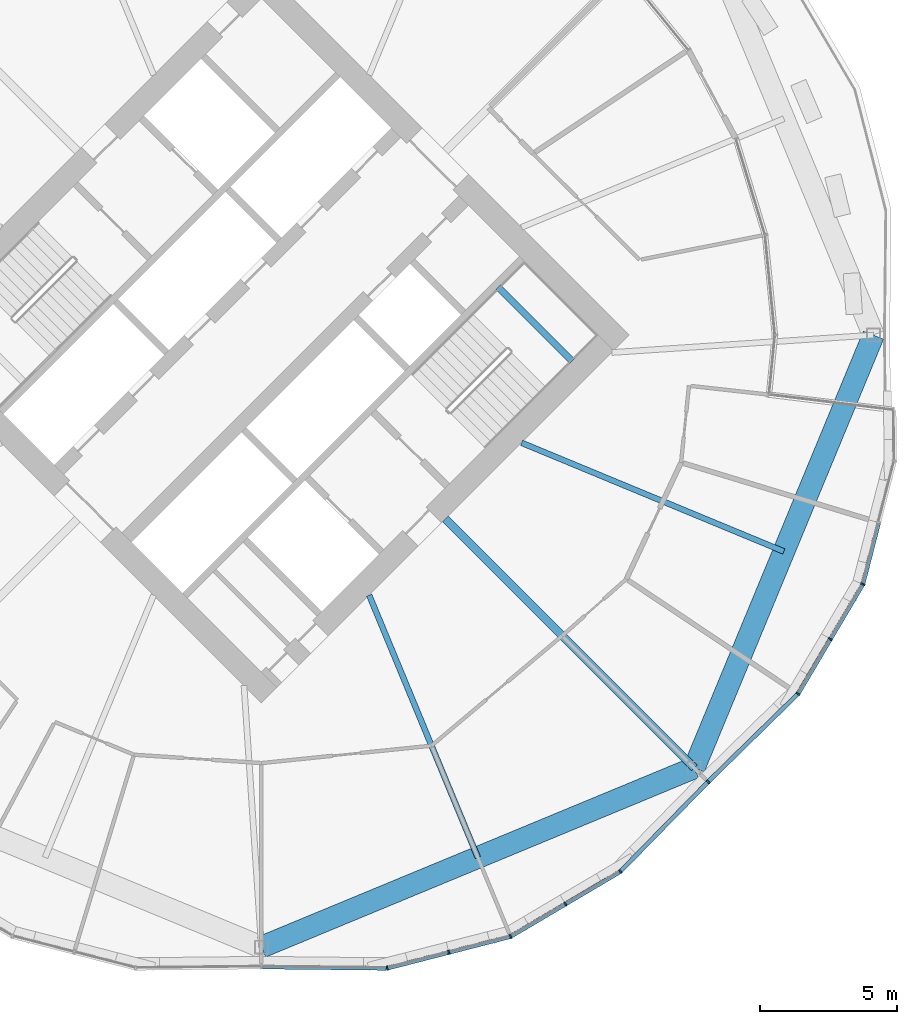
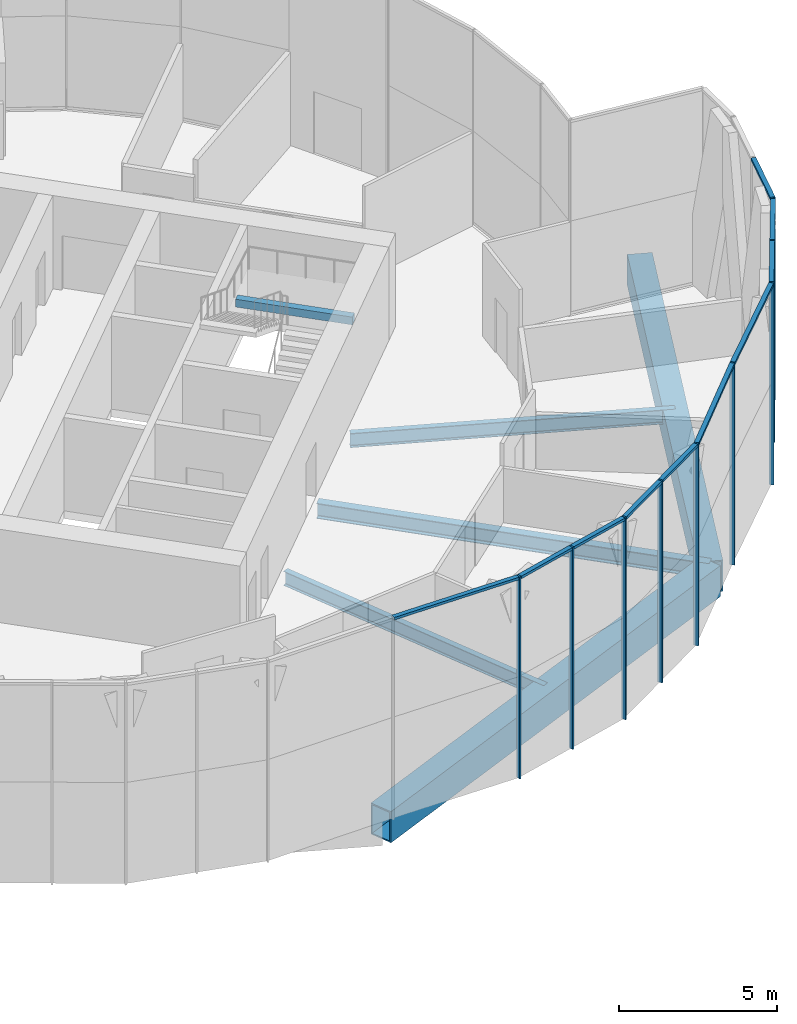
# One storey, part 12 of 27: 19 members, 6 beams, 2 elements without a shape of their own.
"""IFC4 building model written with IfcOpenShell, lengths in metres."""

from ifc_helpers import new_model, si_unit, direction, frame, origin, origin_2d, place, context, subcontext, project, spatial, rectangle, hollow_rectangle, i_section, extrude, material, material_profile, profile_set, type_object, element, aggregate, save


model = new_model("IFC4")

# Units and contexts
model_context = context("Model", 3, precision=1e-05, world=origin(), true_north=direction((0.0, 1.0)))
body_context = subcontext(model_context, "Body", "Model", "MODEL_VIEW")
ifc_project = project(units=[si_unit("LENGTHUNIT", "METRE"), si_unit("AREAUNIT", "SQUARE_METRE"), si_unit("VOLUMEUNIT", "CUBIC_METRE"), si_unit("PLANEANGLEUNIT", "RADIAN"), si_unit("MASSUNIT", "GRAM", prefix="KILO")], contexts=[model_context])

# Site, building, storey
site_placement = place(None, origin())
site = spatial("IfcSite", under=ifc_project, at=site_placement, CompositionType="ELEMENT")
building_placement = place(site_placement, origin())
building = spatial("IfcBuilding", under=site, at=building_placement, Name="Ogive Gate Towers", CompositionType="ELEMENT")
storey_placement = place(building_placement, frame((0.0, 0.0, 123.0)))
storey = spatial("IfcBuildingStorey", under=building, at=storey_placement, Name="L29", CompositionType="ELEMENT", Elevation=123.0)

# Beams
ifc_material_1 = material(Name="Steel SM460", Category="steel")
ifc_material_profile_1 = material_profile(ifc_material_1, hollow_rectangle(XDim=0.800048828125, YDim=1.199951171875, WallThickness=0.050048828125, at=origin_2d()), Name="BX 1200x800x50")
ifc_profile_set_1 = profile_set([ifc_material_profile_1], Name="Steel SM460")
beam_type_1 = type_object("IfcBeamType", Name="Edge girder BX 1200x800x50", PredefinedType="BEAM", material=ifc_profile_set_1)
for number, where, z_axis, x_axis, name in (
    (1, (36.0, -22.35009765625, -0.89990234375), (0.923880978344, 0.382679941797, 0.0), (-0.382679941797, 0.923880978344, 0.0), "T2/L29/SBM018"),
    (2, (51.803955078125, -15.803955078125, -0.89990234375), (0.382679941797, 0.923880978344, 0.0), (-0.923880978344, 0.382679941797, 0.0), "T2/L29/SBM019"),
):
    element("IfcBeam", number, at=place(storey_placement, frame(where, z_axis=z_axis, x_axis=x_axis)), inside=storey, type_object=beam_type_1, Name=name, PredefinedType="BEAM", context=body_context, shape_type="SweptSolid", body=[
        extrude(hollow_rectangle(XDim=0.800048828125, YDim=1.199951171875, WallThickness=0.050048828125, at=origin_2d()), origin(), (0.0, 0.0, 1.0), 17.10595703125),
    ])
ifc_material_2 = material(Name="Concrete C40/50", Category="concrete")
ifc_material_profile_2 = material_profile(ifc_material_2, rectangle(XDim=0.25, YDim=0.300048828125, at=origin_2d()), Name="RC 250x300")
ifc_profile_set_2 = profile_set([ifc_material_profile_2], Name="Concrete C40/50")
beam_type_2 = type_object("IfcBeamType", Name="Landing bearer RC 250x300", PredefinedType="BEAM", material=ifc_profile_set_2)
beam_1_placement = place(storey_placement, frame((47.349609375, -0.9541015625, 1.60009765625), z_axis=(-0.707106781187, 0.707106781187, 0.0), x_axis=(-0.707106781187, -0.707106781187, 0.0)))
element("IfcBeam", 3, at=beam_1_placement, inside=storey, type_object=beam_type_2, Name="T2 L29 stair 2 landing bearer 1", PredefinedType="BEAM", context=body_context, shape_type="SweptSolid", body=[
    extrude(rectangle(XDim=0.25, YDim=0.300048828125, at=origin_2d()), origin(), (0.0, 0.0, 1.0), 3.824951171875),
])
ifc_material_3 = material(Name="Steel SM355", Category="steel")
ifc_material_profile_3 = material_profile(ifc_material_3, i_section(OverallWidth=0.300048828125, OverallDepth=0.590087890625, WebThickness=0.012939453125, FlangeThickness=0.02490234375, FilletRadius=0.027099609375, at=origin_2d()), Name="HE 600 A")
ifc_profile_set_3 = profile_set([ifc_material_profile_3], Name="Steel SM355")
beam_type_3 = type_object("IfcBeamType", Name="Radial floor beam HE 600 A", PredefinedType="BEAM", material=ifc_profile_set_3)
beam_2_placement = place(storey_placement, frame((42.717529296875, -6.717529296875, -0.594970703125), z_axis=(0.707106781187, -0.707106781187, 0.0), x_axis=(0.707106781187, 0.707106781187, 0.0)))
element("IfcBeam", 4, at=beam_2_placement, inside=storey, type_object=beam_type_3, Name="T2/L29/SBM005", PredefinedType="BEAM", context=body_context, shape_type="SweptSolid", body=[
    extrude(i_section(OverallWidth=0.300048828125, OverallDepth=0.590087890625, WebThickness=0.012939453125, FlangeThickness=0.02490234375, FilletRadius=0.027099609375, at=origin_2d()), origin(), (0.0, 0.0, 1.0), 12.85009765625),
])
ifc_material_profile_4 = material_profile(ifc_material_3, i_section(OverallWidth=0.2099609375, OverallDepth=0.550048828125, WebThickness=0.010986328125, FlangeThickness=0.01708984375, FilletRadius=0.02392578125, at=origin_2d()), Name="IPE 550")
ifc_profile_set_4 = profile_set([ifc_material_profile_4], Name="Steel SM355")
beam_type_4 = type_object("IfcBeamType", Name="Radial floor beam IPE 550", PredefinedType="BEAM", material=ifc_profile_set_4)
for number, where, z_axis, x_axis, name in (
    (5, (39.93505859375, -9.5, -0.574951171875), (0.382676287498, -0.92388249198, 0.0), (0.92388249198, 0.382676287498, 0.0), "T2/L29/SBM004"),
    (6, (45.5, -3.93505859375, -0.574951171875), (0.92388249198, -0.382676287498, 0.0), (0.382676287498, 0.92388249198, 0.0), "T2/L29/SBM006"),
):
    element("IfcBeam", number, at=place(storey_placement, frame(where, z_axis=z_axis, x_axis=x_axis)), inside=storey, type_object=beam_type_4, Name=name, PredefinedType="BEAM", context=body_context, shape_type="SweptSolid", body=[
        extrude(i_section(OverallWidth=0.2099609375, OverallDepth=0.550048828125, WebThickness=0.010986328125, FlangeThickness=0.01708984375, FilletRadius=0.02392578125, at=origin_2d()), origin(), (0.0, 0.0, 1.0), 10.365966796875),
    ])

# Curtain wall, members
ifc_material_4 = material(Name="Pale metal aluminium", Category="aluminium")
curtain_wall_type = type_object("IfcCurtainWallType", Name="Tower unitised wall, low zone", PredefinedType="NOTDEFINED", material=ifc_material_4)
curtain_wall_1_placement = place(storey_placement, origin())
curtain_wall_1 = element("IfcCurtainWall", 7, at=curtain_wall_1_placement, inside=storey, type_object=curtain_wall_type, Name="CW1 T2 ECW09", PredefinedType="NOTDEFINED")
ifc_material_profile_5 = material_profile(ifc_material_4, rectangle(XDim=0.159912109375, YDim=0.06005859375, at=origin_2d()), Name="60 x 160 aluminium box")
ifc_profile_set_5 = profile_set([ifc_material_profile_5], Name="Pale metal aluminium")
member_type_1 = type_object("IfcMemberType", Name="Tower unitised wall, low zone mullion 60 x 160", PredefinedType="MULLION", material=ifc_profile_set_5)
member_1_placement = place(storey_placement, frame((52.31298828125, -16.312744140625, -0.300048828125), z_axis=(0.0, 0.0, 1.0), x_axis=(-0.714704657494, 0.699426373935, 0.0)))
member_1 = element("IfcMember", 8, at=member_1_placement, type_object=member_type_1, Name="CW1 mullion", PredefinedType="MULLION", context=body_context, shape_type="SweptSolid", body=[
    extrude(rectangle(XDim=0.159912109375, YDim=0.06005859375, at=origin_2d()), origin(), (0.0, 0.0, 1.0), 7.800048828125),
])
member_2_placement = place(storey_placement, frame((49.102783203125, -19.593017578125, -0.300048828125), z_axis=(0.0, 0.0, 1.0), x_axis=(-0.6171182794, 0.786870401801, 0.0)))
member_2 = element("IfcMember", 9, at=member_2_placement, type_object=member_type_1, Name="CW1 mullion", PredefinedType="MULLION", context=body_context, shape_type="SweptSolid", body=[
    extrude(rectangle(XDim=0.159912109375, YDim=0.06005859375, at=origin_2d()), origin(), (0.0, 0.0, 1.0), 7.800048828125),
])
member_3_placement = place(storey_placement, frame((47.099853515625, -20.77734375, -0.300048828125), z_axis=(0.0, 0.0, 1.0), x_axis=(-0.508951276265, 0.860795328977, 0.0)))
member_3 = element("IfcMember", 10, at=member_3_placement, type_object=member_type_1, Name="CW1 mullion", PredefinedType="MULLION", context=body_context, shape_type="SweptSolid", body=[
    extrude(rectangle(XDim=0.159912109375, YDim=0.06005859375, at=origin_2d()), origin(), (0.0, 0.0, 1.0), 7.800048828125),
])
member_4_placement = place(storey_placement, frame((45.0966796875, -21.961669921875, -0.300048828125), z_axis=(0.0, 0.0, 1.0), x_axis=(-0.382683432365, 0.923879532511, 0.0)))
member_4 = element("IfcMember", 11, at=member_4_placement, type_object=member_type_1, Name="CW1 mullion", PredefinedType="MULLION", context=body_context, shape_type="SweptSolid", body=[
    extrude(rectangle(XDim=0.159912109375, YDim=0.06005859375, at=origin_2d()), origin(), (0.0, 0.0, 1.0), 7.800048828125),
])
member_5_placement = place(storey_placement, frame((42.843017578125, -22.540771484375, -0.300048828125), z_axis=(0.0, 0.0, 1.0), x_axis=(-0.248808220065, 0.968552770699, 0.0)))
member_5 = element("IfcMember", 12, at=member_5_placement, type_object=member_type_1, Name="CW1 mullion", PredefinedType="MULLION", context=body_context, shape_type="SweptSolid", body=[
    extrude(rectangle(XDim=0.159912109375, YDim=0.06005859375, at=origin_2d()), origin(), (0.0, 0.0, 1.0), 7.800048828125),
])
member_6_placement = place(storey_placement, frame((40.58935546875, -23.119384765625, -0.300048828125), z_axis=(0.0, 0.0, 1.0), x_axis=(-0.12003287687, 0.992769917186, 0.0)))
member_6 = element("IfcMember", 13, at=member_6_placement, type_object=member_type_1, Name="CW1 mullion", PredefinedType="MULLION", context=body_context, shape_type="SweptSolid", body=[
    extrude(rectangle(XDim=0.159912109375, YDim=0.06005859375, at=origin_2d()), origin(), (0.0, 0.0, 1.0), 7.800048828125),
])

curtain_wall_2_placement = place(storey_placement, origin())
curtain_wall_2 = element("IfcCurtainWall", 14, at=curtain_wall_2_placement, inside=storey, type_object=curtain_wall_type, Name="CW1 T2 ECW10", PredefinedType="NOTDEFINED")
member_7_placement = place(storey_placement, frame((57.961669921875, -9.0966796875, -0.300048828125), z_axis=(0.0, 0.0, 1.0), x_axis=(-0.923879532511, 0.382683432365, 0.0)))
member_7 = element("IfcMember", 15, at=member_7_placement, type_object=member_type_1, Name="CW1 mullion", PredefinedType="MULLION", context=body_context, shape_type="SweptSolid", body=[
    extrude(rectangle(XDim=0.159912109375, YDim=0.06005859375, at=origin_2d()), origin(), (0.0, 0.0, 1.0), 7.800048828125),
])
member_8_placement = place(storey_placement, frame((56.77734375, -11.099853515625, -0.300048828125), z_axis=(0.0, 0.0, 1.0), x_axis=(-0.860795328977, 0.508951276265, 0.0)))
member_8 = element("IfcMember", 16, at=member_8_placement, type_object=member_type_1, Name="CW1 mullion", PredefinedType="MULLION", context=body_context, shape_type="SweptSolid", body=[
    extrude(rectangle(XDim=0.159912109375, YDim=0.06005859375, at=origin_2d()), origin(), (0.0, 0.0, 1.0), 7.800048828125),
])
member_9_placement = place(storey_placement, frame((55.593017578125, -13.102783203125, -0.300048828125), z_axis=(0.0, 0.0, 1.0), x_axis=(-0.786870401801, 0.6171182794, 0.0)))
member_9 = element("IfcMember", 17, at=member_9_placement, type_object=member_type_1, Name="CW1 mullion", PredefinedType="MULLION", context=body_context, shape_type="SweptSolid", body=[
    extrude(rectangle(XDim=0.159912109375, YDim=0.06005859375, at=origin_2d()), origin(), (0.0, 0.0, 1.0), 7.800048828125),
])

# Member
ifc_material_profile_6 = material_profile(ifc_material_4, rectangle(XDim=0.159912109375, YDim=0.10009765625, at=origin_2d()), Name="100 x 160 aluminium box")
ifc_profile_set_6 = profile_set([ifc_material_profile_6], Name="Pale metal aluminium")
member_type_2 = type_object("IfcMemberType", Name="Tower unitised wall, low zone transom 100 x 160", PredefinedType="USERDEFINED", material=ifc_profile_set_6)
member_10_placement = place(storey_placement, frame((52.2919921875, -16.334228515625, 7.449951171875), z_axis=(-0.699407370594, -0.714723254105, 0.0), x_axis=(0.714723254105, -0.699407370594, 0.0)))
member_10 = element("IfcMember", 18, at=member_10_placement, type_object=member_type_2, Name="CW1 transom", ObjectType="TRANSOM", PredefinedType="USERDEFINED", context=body_context, shape_type="SweptSolid", body=[
    extrude(rectangle(XDim=0.159912109375, YDim=0.10009765625, at=origin_2d()), origin(), (0.0, 0.0, 1.0), 4.527099609375),
])

member_11_placement = place(storey_placement, frame((49.07470703125, -19.60986328125, 7.449951171875), z_axis=(-0.860795553195, -0.508950897041, 0.0), x_axis=(0.508950897041, -0.860795553195, 0.0)))
member_11 = element("IfcMember", 19, at=member_11_placement, type_object=member_type_2, Name="CW1 transom", ObjectType="TRANSOM", PredefinedType="USERDEFINED", context=body_context, shape_type="SweptSolid", body=[
    extrude(rectangle(XDim=0.159912109375, YDim=0.10009765625, at=origin_2d()), origin(), (0.0, 0.0, 1.0), 2.26416015625),
])

member_12_placement = place(storey_placement, frame((47.07421875, -20.792724609375, 7.449951171875), z_axis=(-0.860823480254, -0.508903660671, 0.0), x_axis=(0.508903660671, -0.860823480254, 0.0)))
member_12 = element("IfcMember", 20, at=member_12_placement, type_object=member_type_2, Name="CW1 transom", ObjectType="TRANSOM", PredefinedType="USERDEFINED", context=body_context, shape_type="SweptSolid", body=[
    extrude(rectangle(XDim=0.159912109375, YDim=0.10009765625, at=origin_2d()), origin(), (0.0, 0.0, 1.0), 2.264404296875),
])

member_13_placement = place(storey_placement, frame((45.06494140625, -21.969970703125, 7.449951171875), z_axis=(-0.968562004633, -0.248772271731, 0.0), x_axis=(0.248772271731, -0.968562004633, 0.0)))
member_13 = element("IfcMember", 21, at=member_13_placement, type_object=member_type_2, Name="CW1 transom", ObjectType="TRANSOM", PredefinedType="USERDEFINED", context=body_context, shape_type="SweptSolid", body=[
    extrude(rectangle(XDim=0.159912109375, YDim=0.10009765625, at=origin_2d()), origin(), (0.0, 0.0, 1.0), 2.26416015625),
])

member_14_placement = place(storey_placement, frame((42.81396484375, -22.548095703125, 7.449951171875), z_axis=(-0.968536017377, -0.248873427756, 0.0), x_axis=(0.248873427756, -0.968536017377, 0.0)))
member_14 = element("IfcMember", 22, at=member_14_placement, type_object=member_type_2, Name="CW1 transom", ObjectType="TRANSOM", PredefinedType="USERDEFINED", context=body_context, shape_type="SweptSolid", body=[
    extrude(rectangle(XDim=0.159912109375, YDim=0.10009765625, at=origin_2d()), origin(), (0.0, 0.0, 1.0), 2.26416015625),
])

member_15_placement = place(storey_placement, frame((40.556884765625, -23.119384765625, 7.449951171875), z_axis=(-0.999941255954, 0.01083903319, 0.0), x_axis=(-0.01083903319, -0.999941255954, 0.0)))
member_15 = element("IfcMember", 23, at=member_15_placement, type_object=member_type_2, Name="CW1 transom", ObjectType="TRANSOM", PredefinedType="USERDEFINED", context=body_context, shape_type="SweptSolid", body=[
    extrude(rectangle(XDim=0.159912109375, YDim=0.10009765625, at=origin_2d()), origin(), (0.0, 0.0, 1.0), 4.52734375),
])

aggregate(curtain_wall_1, [member_1, member_2, member_10, member_3, member_11, member_4, member_12, member_5, member_13, member_6, member_14, member_15])

member_16_placement = place(storey_placement, frame((58.533203125, -6.8720703125, 7.449951171875), z_axis=(-0.248772271731, -0.968562004633, 0.0), x_axis=(0.968562004633, -0.248772271731, 0.0)))
member_16 = element("IfcMember", 24, at=member_16_placement, type_object=member_type_2, Name="CW1 transom", ObjectType="TRANSOM", PredefinedType="USERDEFINED", context=body_context, shape_type="SweptSolid", body=[
    extrude(rectangle(XDim=0.159912109375, YDim=0.10009765625, at=origin_2d()), origin(), (0.0, 0.0, 1.0), 2.26416015625),
])

member_17_placement = place(storey_placement, frame((57.945068359375, -9.125, 7.449951171875), z_axis=(-0.508903660671, -0.860823480254, 0.0), x_axis=(0.860823480254, -0.508903660671, 0.0)))
member_17 = element("IfcMember", 25, at=member_17_placement, type_object=member_type_2, Name="CW1 transom", ObjectType="TRANSOM", PredefinedType="USERDEFINED", context=body_context, shape_type="SweptSolid", body=[
    extrude(rectangle(XDim=0.159912109375, YDim=0.10009765625, at=origin_2d()), origin(), (0.0, 0.0, 1.0), 2.264404296875),
])

member_18_placement = place(storey_placement, frame((56.76220703125, -11.125732421875, 7.449951171875), z_axis=(-0.508950897041, -0.860795553195, 0.0), x_axis=(0.860795553195, -0.508950897041, 0.0)))
member_18 = element("IfcMember", 26, at=member_18_placement, type_object=member_type_2, Name="CW1 transom", ObjectType="TRANSOM", PredefinedType="USERDEFINED", context=body_context, shape_type="SweptSolid", body=[
    extrude(rectangle(XDim=0.159912109375, YDim=0.10009765625, at=origin_2d()), origin(), (0.0, 0.0, 1.0), 2.26416015625),
])

member_19_placement = place(storey_placement, frame((55.56982421875, -13.125732421875, 7.449951171875), z_axis=(-0.714723254105, -0.699407370594, 0.0), x_axis=(0.699407370594, -0.714723254105, 0.0)))
member_19 = element("IfcMember", 27, at=member_19_placement, type_object=member_type_2, Name="CW1 transom", ObjectType="TRANSOM", PredefinedType="USERDEFINED", context=body_context, shape_type="SweptSolid", body=[
    extrude(rectangle(XDim=0.159912109375, YDim=0.10009765625, at=origin_2d()), origin(), (0.0, 0.0, 1.0), 4.527099609375),
])

aggregate(curtain_wall_2, [member_7, member_16, member_8, member_17, member_9, member_18, member_19])

save(model, "model.ifc")
